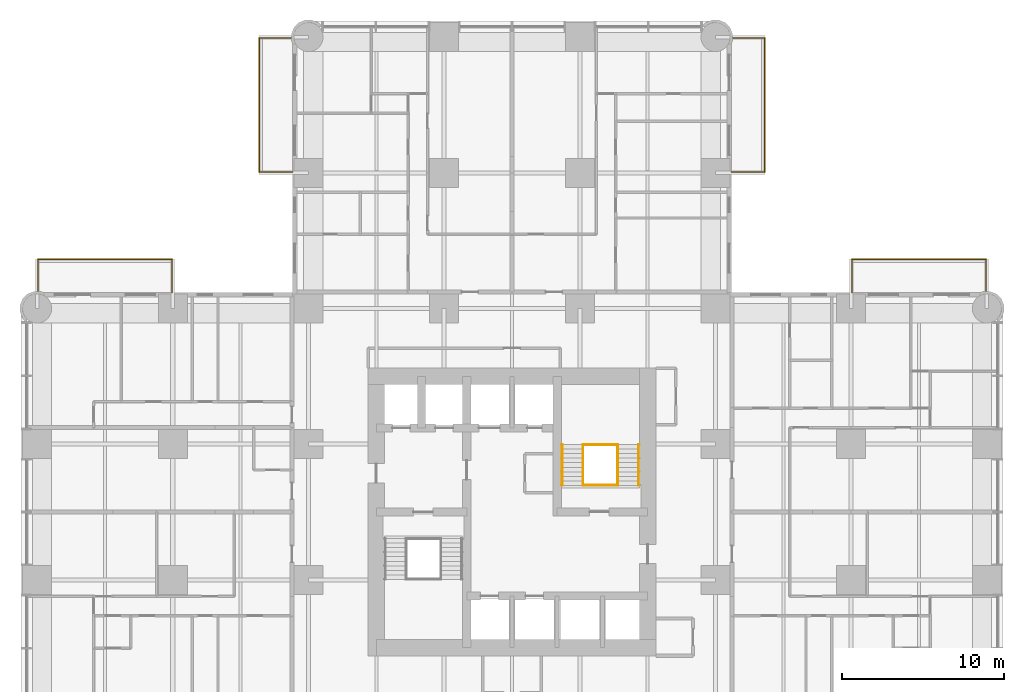
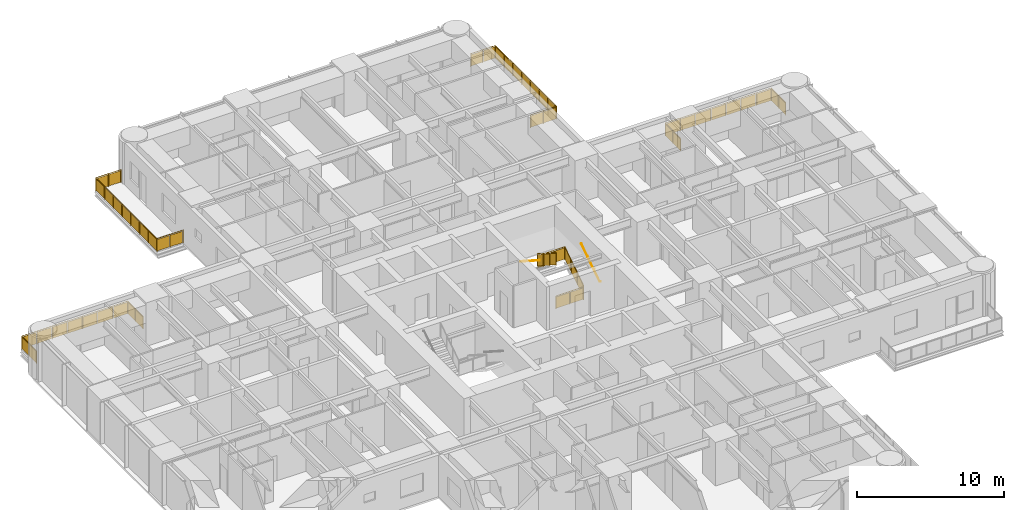
# One storey, part 17 of 17: 10 railings.
"""IFC4 building model written with IfcOpenShell, lengths in metres."""

from ifc_helpers import new_model, si_unit, direction, frame, origin, origin_2d, place, context, subcontext, project, spatial, polyline, circle, outline, extrude, material, constituent, constituent_set, type_object, element, save


model = new_model("IFC4")

# Units and contexts
model_context = context("Model", 3, precision=1e-05, world=origin(), true_north=direction((0.0, 1.0)))
body_context = subcontext(model_context, "Body", "Model", "MODEL_VIEW")
ifc_project = project(units=[si_unit("LENGTHUNIT", "METRE"), si_unit("AREAUNIT", "SQUARE_METRE"), si_unit("VOLUMEUNIT", "CUBIC_METRE"), si_unit("PLANEANGLEUNIT", "RADIAN"), si_unit("MASSUNIT", "GRAM", prefix="KILO")], contexts=[model_context])

# Site, building, storey
site_placement = place(None, origin())
site = spatial("IfcSite", under=ifc_project, at=site_placement, CompositionType="ELEMENT")
building_placement = place(site_placement, origin())
building = spatial("IfcBuilding", under=site, at=building_placement, Name="Torre Alcanfor", CompositionType="ELEMENT")
storey_placement = place(building_placement, frame((0.0, 0.0, 45.300048828125)))
storey = spatial("IfcBuildingStorey", under=building, at=storey_placement, Name="L10", CompositionType="ELEMENT", Elevation=45.300048828125)

# Railings
ifc_material_1 = material(Name="Laminated safety glass", Category="glass")
ifc_constituent_1 = constituent(ifc_material_1, Name="Infill")
ifc_material_2 = material(Name="Stainless steel ASTM A554 Grade MT 316L tube", Category="steel")
ifc_constituent_2 = constituent(ifc_material_2, Name="Posts and rail")
ifc_constituent_set = constituent_set(constituents=[ifc_constituent_1, ifc_constituent_2], Name="Balcony guard glass 1100")
railing_type_1 = type_object("IfcRailingType", Name="Balcony guard glass 1100", PredefinedType="BALUSTRADE", material=ifc_constituent_set)
railing_1_placement = place(storey_placement, frame((15.800048828125, 50.449951171875, 0.0)))
element("IfcRailing", 1, at=railing_1_placement, inside=storey, type_object=railing_type_1, Name="Balcony guard L10-N1", PredefinedType="BALUSTRADE", context=body_context, shape_type="SweptSolid", body=[
    extrude(circle(Radius=0.02392578125, at=origin_2d()), frame((0.0, 0.0, 1.076171875), z_axis=(-1.0, 0.0, 0.0), x_axis=(0.0, -1.0, 0.0)), (0.0, 0.0, 1.0), 2.050048828125),
    extrude(circle(Radius=0.02392578125, at=origin_2d()), frame((-2.050048828125, 0.0, 1.076171875), z_axis=(0.0, 1.0, 0.0), x_axis=(-1.0, 0.0, 0.0)), (0.0, 0.0, 1.0), 8.300048828125),
    extrude(circle(Radius=0.02392578125, at=origin_2d()), frame((-2.050048828125, 8.300048828125, 1.076171875), z_axis=(1.0, 0.0, 0.0), x_axis=(0.0, 1.0, 0.0)), (0.0, 0.0, 1.0), 1.968994140625),
    extrude(circle(Radius=0.02099609375, at=origin_2d()), origin(), (0.0, 0.0, 1.0), 1.052001953125),
    extrude(circle(Radius=0.02099609375, at=origin_2d()), frame((-1.02490234375, 0.0, 0.0)), (0.0, 0.0, 1.0), 1.052001953125),
    extrude(circle(Radius=0.02099609375, at=origin_2d()), frame((-2.050048828125, 0.0, 0.0)), (0.0, 0.0, 1.0), 1.052001953125),
    extrude(circle(Radius=0.02099609375, at=origin_2d()), frame((-2.050048828125, 1.185791015625, 0.0)), (0.0, 0.0, 1.0), 1.052001953125),
    extrude(circle(Radius=0.02099609375, at=origin_2d()), frame((-2.050048828125, 2.371337890625, 0.0)), (0.0, 0.0, 1.0), 1.052001953125),
    extrude(circle(Radius=0.02099609375, at=origin_2d()), frame((-2.050048828125, 3.55712890625, 0.0)), (0.0, 0.0, 1.0), 1.052001953125),
    extrude(circle(Radius=0.02099609375, at=origin_2d()), frame((-2.050048828125, 4.742919921875, 0.0)), (0.0, 0.0, 1.0), 1.052001953125),
    extrude(circle(Radius=0.02099609375, at=origin_2d()), frame((-2.050048828125, 5.9287109375, 0.0)), (0.0, 0.0, 1.0), 1.052001953125),
    extrude(circle(Radius=0.02099609375, at=origin_2d()), frame((-2.050048828125, 7.1142578125, 0.0)), (0.0, 0.0, 1.0), 1.052001953125),
    extrude(circle(Radius=0.02099609375, at=origin_2d()), frame((-2.050048828125, 8.300048828125, 0.0)), (0.0, 0.0, 1.0), 1.052001953125),
    extrude(circle(Radius=0.02099609375, at=origin_2d()), frame((-1.0654296875, 8.300048828125, 0.0)), (0.0, 0.0, 1.0), 1.052001953125),
    extrude(circle(Radius=0.02099609375, at=origin_2d()), frame((-0.0810546875, 8.300048828125, 0.0)), (0.0, 0.0, 1.0), 1.052001953125),
    extrude(outline(polyline([(0.041015625, 0.050048828125), (0.984130859375, 0.050048828125), (0.984130859375, 1.001953125), (0.041015625, 1.001953125), (0.041015625, 0.050048828125)])), frame((0.0, -0.005859375, 0.0), z_axis=(0.0, 1.0, 0.0), x_axis=(-1.0, 0.0, 0.0)), (0.0, 0.0, 1.0), 0.011962890625),
    extrude(outline(polyline([(1.06591796875, 0.050048828125), (2.009033203125, 0.050048828125), (2.009033203125, 1.001953125), (1.06591796875, 1.001953125), (1.06591796875, 0.050048828125)])), frame((0.0, -0.005859375, 0.0), z_axis=(0.0, 1.0, 0.0), x_axis=(-1.0, 0.0, 0.0)), (0.0, 0.0, 1.0), 0.011962890625),
    extrude(outline(polyline([(0.041015625, 0.050048828125), (1.144775390625, 0.050048828125), (1.144775390625, 1.001953125), (0.041015625, 1.001953125), (0.041015625, 0.050048828125)])), frame((-2.05615234375, 0.0, 0.0), z_axis=(1.0, 0.0, 0.0), x_axis=(0.0, 1.0, 0.0)), (0.0, 0.0, 1.0), 0.011962890625),
    extrude(outline(polyline([(1.226806640625, 0.050048828125), (2.330322265625, 0.050048828125), (2.330322265625, 1.001953125), (1.226806640625, 1.001953125), (1.226806640625, 0.050048828125)])), frame((-2.05615234375, 0.0, 0.0), z_axis=(1.0, 0.0, 0.0), x_axis=(0.0, 1.0, 0.0)), (0.0, 0.0, 1.0), 0.011962890625),
    extrude(outline(polyline([(2.412353515625, 0.050048828125), (3.51611328125, 0.050048828125), (3.51611328125, 1.001953125), (2.412353515625, 1.001953125), (2.412353515625, 0.050048828125)])), frame((-2.05615234375, 0.0, 0.0), z_axis=(1.0, 0.0, 0.0), x_axis=(0.0, 1.0, 0.0)), (0.0, 0.0, 1.0), 0.011962890625),
    extrude(outline(polyline([(3.59814453125, 0.050048828125), (4.701904296875, 0.050048828125), (4.701904296875, 1.001953125), (3.59814453125, 1.001953125), (3.59814453125, 0.050048828125)])), frame((-2.05615234375, 0.0, 0.0), z_axis=(1.0, 0.0, 0.0), x_axis=(0.0, 1.0, 0.0)), (0.0, 0.0, 1.0), 0.011962890625),
    extrude(outline(polyline([(4.783935546875, 0.050048828125), (5.8876953125, 0.050048828125), (5.8876953125, 1.001953125), (4.783935546875, 1.001953125), (4.783935546875, 0.050048828125)])), frame((-2.05615234375, 0.0, 0.0), z_axis=(1.0, 0.0, 0.0), x_axis=(0.0, 1.0, 0.0)), (0.0, 0.0, 1.0), 0.011962890625),
    extrude(outline(polyline([(5.9697265625, 0.050048828125), (7.0732421875, 0.050048828125), (7.0732421875, 1.001953125), (5.9697265625, 1.001953125), (5.9697265625, 0.050048828125)])), frame((-2.05615234375, 0.0, 0.0), z_axis=(1.0, 0.0, 0.0), x_axis=(0.0, 1.0, 0.0)), (0.0, 0.0, 1.0), 0.011962890625),
    extrude(outline(polyline([(7.1552734375, 0.050048828125), (8.259033203125, 0.050048828125), (8.259033203125, 1.001953125), (7.1552734375, 1.001953125), (7.1552734375, 0.050048828125)])), frame((-2.05615234375, 0.0, 0.0), z_axis=(1.0, 0.0, 0.0), x_axis=(0.0, 1.0, 0.0)), (0.0, 0.0, 1.0), 0.011962890625),
    extrude(outline(polyline([(0.041015625, 0.050048828125), (0.943603515625, 0.050048828125), (0.943603515625, 1.001953125), (0.041015625, 1.001953125), (0.041015625, 0.050048828125)])), frame((-2.050048828125, 8.30615234375, 0.0), z_axis=(0.0, -1.0, 0.0), x_axis=(1.0, 0.0, 0.0)), (0.0, 0.0, 1.0), 0.011962890625),
    extrude(outline(polyline([(1.025390625, 0.050048828125), (1.927978515625, 0.050048828125), (1.927978515625, 1.001953125), (1.025390625, 1.001953125), (1.025390625, 0.050048828125)])), frame((-2.050048828125, 8.30615234375, 0.0), z_axis=(0.0, -1.0, 0.0), x_axis=(1.0, 0.0, 0.0)), (0.0, 0.0, 1.0), 0.011962890625),
])
railing_2_placement = place(storey_placement, frame((43.0, 50.449951171875, 0.0)))
element("IfcRailing", 2, at=railing_2_placement, inside=storey, type_object=railing_type_1, Name="Balcony guard L10-N2", PredefinedType="BALUSTRADE", context=body_context, shape_type="SweptSolid", body=[
    extrude(circle(Radius=0.02392578125, at=origin_2d()), frame((0.0, 0.0, 1.076171875), z_axis=(1.0, 0.0, 0.0), x_axis=(0.0, 1.0, 0.0)), (0.0, 0.0, 1.0), 2.050048828125),
    extrude(circle(Radius=0.02392578125, at=origin_2d()), frame((2.050048828125, 0.0, 1.076171875), z_axis=(0.0, 1.0, 0.0), x_axis=(-1.0, 0.0, 0.0)), (0.0, 0.0, 1.0), 8.300048828125),
    extrude(circle(Radius=0.02392578125, at=origin_2d()), frame((2.050048828125, 8.300048828125, 1.076171875), z_axis=(-1.0, 0.0, 0.0), x_axis=(0.0, -1.0, 0.0)), (0.0, 0.0, 1.0), 1.968994140625),
    extrude(circle(Radius=0.02099609375, at=origin_2d()), origin(), (0.0, 0.0, 1.0), 1.052001953125),
    extrude(circle(Radius=0.02099609375, at=origin_2d()), frame((1.02490234375, 0.0, 0.0)), (0.0, 0.0, 1.0), 1.052001953125),
    extrude(circle(Radius=0.02099609375, at=origin_2d()), frame((2.050048828125, 0.0, 0.0)), (0.0, 0.0, 1.0), 1.052001953125),
    extrude(circle(Radius=0.02099609375, at=origin_2d()), frame((2.050048828125, 1.185791015625, 0.0)), (0.0, 0.0, 1.0), 1.052001953125),
    extrude(circle(Radius=0.02099609375, at=origin_2d()), frame((2.050048828125, 2.371337890625, 0.0)), (0.0, 0.0, 1.0), 1.052001953125),
    extrude(circle(Radius=0.02099609375, at=origin_2d()), frame((2.050048828125, 3.55712890625, 0.0)), (0.0, 0.0, 1.0), 1.052001953125),
    extrude(circle(Radius=0.02099609375, at=origin_2d()), frame((2.050048828125, 4.742919921875, 0.0)), (0.0, 0.0, 1.0), 1.052001953125),
    extrude(circle(Radius=0.02099609375, at=origin_2d()), frame((2.050048828125, 5.9287109375, 0.0)), (0.0, 0.0, 1.0), 1.052001953125),
    extrude(circle(Radius=0.02099609375, at=origin_2d()), frame((2.050048828125, 7.1142578125, 0.0)), (0.0, 0.0, 1.0), 1.052001953125),
    extrude(circle(Radius=0.02099609375, at=origin_2d()), frame((2.050048828125, 8.300048828125, 0.0)), (0.0, 0.0, 1.0), 1.052001953125),
    extrude(circle(Radius=0.02099609375, at=origin_2d()), frame((1.0654296875, 8.300048828125, 0.0)), (0.0, 0.0, 1.0), 1.052001953125),
    extrude(circle(Radius=0.02099609375, at=origin_2d()), frame((0.0810546875, 8.300048828125, 0.0)), (0.0, 0.0, 1.0), 1.052001953125),
    extrude(outline(polyline([(0.041015625, 0.050048828125), (0.984130859375, 0.050048828125), (0.984130859375, 1.001953125), (0.041015625, 1.001953125), (0.041015625, 0.050048828125)])), frame((0.0, 0.005859375, 0.0), z_axis=(0.0, -1.0, 0.0), x_axis=(1.0, 0.0, 0.0)), (0.0, 0.0, 1.0), 0.011962890625),
    extrude(outline(polyline([(1.06591796875, 0.050048828125), (2.009033203125, 0.050048828125), (2.009033203125, 1.001953125), (1.06591796875, 1.001953125), (1.06591796875, 0.050048828125)])), frame((0.0, 0.005859375, 0.0), z_axis=(0.0, -1.0, 0.0), x_axis=(1.0, 0.0, 0.0)), (0.0, 0.0, 1.0), 0.011962890625),
    extrude(outline(polyline([(0.041015625, 0.050048828125), (1.144775390625, 0.050048828125), (1.144775390625, 1.001953125), (0.041015625, 1.001953125), (0.041015625, 0.050048828125)])), frame((2.0439453125, 0.0, 0.0), z_axis=(1.0, 0.0, 0.0), x_axis=(0.0, 1.0, 0.0)), (0.0, 0.0, 1.0), 0.011962890625),
    extrude(outline(polyline([(1.226806640625, 0.050048828125), (2.330322265625, 0.050048828125), (2.330322265625, 1.001953125), (1.226806640625, 1.001953125), (1.226806640625, 0.050048828125)])), frame((2.0439453125, 0.0, 0.0), z_axis=(1.0, 0.0, 0.0), x_axis=(0.0, 1.0, 0.0)), (0.0, 0.0, 1.0), 0.011962890625),
    extrude(outline(polyline([(2.412353515625, 0.050048828125), (3.51611328125, 0.050048828125), (3.51611328125, 1.001953125), (2.412353515625, 1.001953125), (2.412353515625, 0.050048828125)])), frame((2.0439453125, 0.0, 0.0), z_axis=(1.0, 0.0, 0.0), x_axis=(0.0, 1.0, 0.0)), (0.0, 0.0, 1.0), 0.011962890625),
    extrude(outline(polyline([(3.59814453125, 0.050048828125), (4.701904296875, 0.050048828125), (4.701904296875, 1.001953125), (3.59814453125, 1.001953125), (3.59814453125, 0.050048828125)])), frame((2.0439453125, 0.0, 0.0), z_axis=(1.0, 0.0, 0.0), x_axis=(0.0, 1.0, 0.0)), (0.0, 0.0, 1.0), 0.011962890625),
    extrude(outline(polyline([(4.783935546875, 0.050048828125), (5.8876953125, 0.050048828125), (5.8876953125, 1.001953125), (4.783935546875, 1.001953125), (4.783935546875, 0.050048828125)])), frame((2.0439453125, 0.0, 0.0), z_axis=(1.0, 0.0, 0.0), x_axis=(0.0, 1.0, 0.0)), (0.0, 0.0, 1.0), 0.011962890625),
    extrude(outline(polyline([(5.9697265625, 0.050048828125), (7.0732421875, 0.050048828125), (7.0732421875, 1.001953125), (5.9697265625, 1.001953125), (5.9697265625, 0.050048828125)])), frame((2.0439453125, 0.0, 0.0), z_axis=(1.0, 0.0, 0.0), x_axis=(0.0, 1.0, 0.0)), (0.0, 0.0, 1.0), 0.011962890625),
    extrude(outline(polyline([(7.1552734375, 0.050048828125), (8.259033203125, 0.050048828125), (8.259033203125, 1.001953125), (7.1552734375, 1.001953125), (7.1552734375, 0.050048828125)])), frame((2.0439453125, 0.0, 0.0), z_axis=(1.0, 0.0, 0.0), x_axis=(0.0, 1.0, 0.0)), (0.0, 0.0, 1.0), 0.011962890625),
    extrude(outline(polyline([(0.041015625, 0.050048828125), (0.943603515625, 0.050048828125), (0.943603515625, 1.001953125), (0.041015625, 1.001953125), (0.041015625, 0.050048828125)])), frame((2.050048828125, 8.2939453125, 0.0), z_axis=(0.0, 1.0, 0.0), x_axis=(-1.0, 0.0, 0.0)), (0.0, 0.0, 1.0), 0.011962890625),
    extrude(outline(polyline([(1.025390625, 0.050048828125), (1.927978515625, 0.050048828125), (1.927978515625, 1.001953125), (1.025390625, 1.001953125), (1.025390625, 0.050048828125)])), frame((2.050048828125, 8.2939453125, 0.0), z_axis=(0.0, 1.0, 0.0), x_axis=(-1.0, 0.0, 0.0)), (0.0, 0.0, 1.0), 0.011962890625),
])
railing_3_placement = place(storey_placement, frame((50.449951171875, 43.0, 0.0)))
element("IfcRailing", 3, at=railing_3_placement, inside=storey, type_object=railing_type_1, Name="Balcony guard L10-E1", PredefinedType="BALUSTRADE", context=body_context, shape_type="SweptSolid", body=[
    extrude(circle(Radius=0.02392578125, at=origin_2d()), frame((0.0, 0.0, 1.076171875), z_axis=(0.0, 1.0, 0.0), x_axis=(-1.0, 0.0, 0.0)), (0.0, 0.0, 1.0), 2.050048828125),
    extrude(circle(Radius=0.02392578125, at=origin_2d()), frame((0.0, 2.050048828125, 1.076171875), z_axis=(1.0, 0.0, 0.0), x_axis=(0.0, 1.0, 0.0)), (0.0, 0.0, 1.0), 8.300048828125),
    extrude(circle(Radius=0.02392578125, at=origin_2d()), frame((8.300048828125, 2.050048828125, 1.076171875), z_axis=(0.0, -1.0, 0.0), x_axis=(1.0, 0.0, 0.0)), (0.0, 0.0, 1.0), 1.968994140625),
    extrude(circle(Radius=0.02099609375, at=origin_2d()), origin(), (0.0, 0.0, 1.0), 1.052001953125),
    extrude(circle(Radius=0.02099609375, at=origin_2d()), frame((0.0, 1.02490234375, 0.0)), (0.0, 0.0, 1.0), 1.052001953125),
    extrude(circle(Radius=0.02099609375, at=origin_2d()), frame((0.0, 2.050048828125, 0.0)), (0.0, 0.0, 1.0), 1.052001953125),
    extrude(circle(Radius=0.02099609375, at=origin_2d()), frame((1.185791015625, 2.050048828125, 0.0)), (0.0, 0.0, 1.0), 1.052001953125),
    extrude(circle(Radius=0.02099609375, at=origin_2d()), frame((2.371337890625, 2.050048828125, 0.0)), (0.0, 0.0, 1.0), 1.052001953125),
    extrude(circle(Radius=0.02099609375, at=origin_2d()), frame((3.55712890625, 2.050048828125, 0.0)), (0.0, 0.0, 1.0), 1.052001953125),
    extrude(circle(Radius=0.02099609375, at=origin_2d()), frame((4.742919921875, 2.050048828125, 0.0)), (0.0, 0.0, 1.0), 1.052001953125),
    extrude(circle(Radius=0.02099609375, at=origin_2d()), frame((5.9287109375, 2.050048828125, 0.0)), (0.0, 0.0, 1.0), 1.052001953125),
    extrude(circle(Radius=0.02099609375, at=origin_2d()), frame((7.1142578125, 2.050048828125, 0.0)), (0.0, 0.0, 1.0), 1.052001953125),
    extrude(circle(Radius=0.02099609375, at=origin_2d()), frame((8.300048828125, 2.050048828125, 0.0)), (0.0, 0.0, 1.0), 1.052001953125),
    extrude(circle(Radius=0.02099609375, at=origin_2d()), frame((8.300048828125, 1.0654296875, 0.0)), (0.0, 0.0, 1.0), 1.052001953125),
    extrude(circle(Radius=0.02099609375, at=origin_2d()), frame((8.300048828125, 0.0810546875, 0.0)), (0.0, 0.0, 1.0), 1.052001953125),
    extrude(outline(polyline([(0.041015625, 0.050048828125), (0.984130859375, 0.050048828125), (0.984130859375, 1.001953125), (0.041015625, 1.001953125), (0.041015625, 0.050048828125)])), frame((-0.005859375, 0.0, 0.0), z_axis=(1.0, 0.0, 0.0), x_axis=(0.0, 1.0, 0.0)), (0.0, 0.0, 1.0), 0.011962890625),
    extrude(outline(polyline([(1.06591796875, 0.050048828125), (2.009033203125, 0.050048828125), (2.009033203125, 1.001953125), (1.06591796875, 1.001953125), (1.06591796875, 0.050048828125)])), frame((-0.005859375, 0.0, 0.0), z_axis=(1.0, 0.0, 0.0), x_axis=(0.0, 1.0, 0.0)), (0.0, 0.0, 1.0), 0.011962890625),
    extrude(outline(polyline([(0.041015625, 0.050048828125), (1.144775390625, 0.050048828125), (1.144775390625, 1.001953125), (0.041015625, 1.001953125), (0.041015625, 0.050048828125)])), frame((0.0, 2.05615234375, 0.0), z_axis=(0.0, -1.0, 0.0), x_axis=(1.0, 0.0, 0.0)), (0.0, 0.0, 1.0), 0.011962890625),
    extrude(outline(polyline([(1.226806640625, 0.050048828125), (2.330322265625, 0.050048828125), (2.330322265625, 1.001953125), (1.226806640625, 1.001953125), (1.226806640625, 0.050048828125)])), frame((0.0, 2.05615234375, 0.0), z_axis=(0.0, -1.0, 0.0), x_axis=(1.0, 0.0, 0.0)), (0.0, 0.0, 1.0), 0.011962890625),
    extrude(outline(polyline([(2.412353515625, 0.050048828125), (3.51611328125, 0.050048828125), (3.51611328125, 1.001953125), (2.412353515625, 1.001953125), (2.412353515625, 0.050048828125)])), frame((0.0, 2.05615234375, 0.0), z_axis=(0.0, -1.0, 0.0), x_axis=(1.0, 0.0, 0.0)), (0.0, 0.0, 1.0), 0.011962890625),
    extrude(outline(polyline([(3.59814453125, 0.050048828125), (4.701904296875, 0.050048828125), (4.701904296875, 1.001953125), (3.59814453125, 1.001953125), (3.59814453125, 0.050048828125)])), frame((0.0, 2.05615234375, 0.0), z_axis=(0.0, -1.0, 0.0), x_axis=(1.0, 0.0, 0.0)), (0.0, 0.0, 1.0), 0.011962890625),
    extrude(outline(polyline([(4.783935546875, 0.050048828125), (5.8876953125, 0.050048828125), (5.8876953125, 1.001953125), (4.783935546875, 1.001953125), (4.783935546875, 0.050048828125)])), frame((0.0, 2.05615234375, 0.0), z_axis=(0.0, -1.0, 0.0), x_axis=(1.0, 0.0, 0.0)), (0.0, 0.0, 1.0), 0.011962890625),
    extrude(outline(polyline([(5.9697265625, 0.050048828125), (7.0732421875, 0.050048828125), (7.0732421875, 1.001953125), (5.9697265625, 1.001953125), (5.9697265625, 0.050048828125)])), frame((0.0, 2.05615234375, 0.0), z_axis=(0.0, -1.0, 0.0), x_axis=(1.0, 0.0, 0.0)), (0.0, 0.0, 1.0), 0.011962890625),
    extrude(outline(polyline([(7.1552734375, 0.050048828125), (8.259033203125, 0.050048828125), (8.259033203125, 1.001953125), (7.1552734375, 1.001953125), (7.1552734375, 0.050048828125)])), frame((0.0, 2.05615234375, 0.0), z_axis=(0.0, -1.0, 0.0), x_axis=(1.0, 0.0, 0.0)), (0.0, 0.0, 1.0), 0.011962890625),
    extrude(outline(polyline([(0.041015625, 0.050048828125), (0.943603515625, 0.050048828125), (0.943603515625, 1.001953125), (0.041015625, 1.001953125), (0.041015625, 0.050048828125)])), frame((8.30615234375, 2.050048828125, 0.0), z_axis=(-1.0, 0.0, 0.0), x_axis=(0.0, -1.0, 0.0)), (0.0, 0.0, 1.0), 0.011962890625),
    extrude(outline(polyline([(1.025390625, 0.050048828125), (1.927978515625, 0.050048828125), (1.927978515625, 1.001953125), (1.025390625, 1.001953125), (1.025390625, 0.050048828125)])), frame((8.30615234375, 2.050048828125, 0.0), z_axis=(-1.0, 0.0, 0.0), x_axis=(0.0, -1.0, 0.0)), (0.0, 0.0, 1.0), 0.011962890625),
])
railing_4_placement = place(storey_placement, frame((8.35009765625, 43.0, 0.0)))
element("IfcRailing", 4, at=railing_4_placement, inside=storey, type_object=railing_type_1, Name="Balcony guard L10-W2", PredefinedType="BALUSTRADE", context=body_context, shape_type="SweptSolid", body=[
    extrude(circle(Radius=0.02392578125, at=origin_2d()), frame((0.0, 0.0, 1.076171875), z_axis=(0.0, 1.0, 0.0), x_axis=(-1.0, 0.0, 0.0)), (0.0, 0.0, 1.0), 2.050048828125),
    extrude(circle(Radius=0.02392578125, at=origin_2d()), frame((0.0, 2.050048828125, 1.076171875), z_axis=(-1.0, 0.0, 0.0), x_axis=(0.0, -1.0, 0.0)), (0.0, 0.0, 1.0), 8.300048828125),
    extrude(circle(Radius=0.02392578125, at=origin_2d()), frame((-8.300048828125, 2.050048828125, 1.076171875), z_axis=(0.0, -1.0, 0.0), x_axis=(1.0, 0.0, 0.0)), (0.0, 0.0, 1.0), 1.968994140625),
    extrude(circle(Radius=0.02099609375, at=origin_2d()), origin(), (0.0, 0.0, 1.0), 1.052001953125),
    extrude(circle(Radius=0.02099609375, at=origin_2d()), frame((0.0, 1.02490234375, 0.0)), (0.0, 0.0, 1.0), 1.052001953125),
    extrude(circle(Radius=0.02099609375, at=origin_2d()), frame((0.0, 2.050048828125, 0.0)), (0.0, 0.0, 1.0), 1.052001953125),
    extrude(circle(Radius=0.02099609375, at=origin_2d()), frame((-1.185791015625, 2.050048828125, 0.0)), (0.0, 0.0, 1.0), 1.052001953125),
    extrude(circle(Radius=0.02099609375, at=origin_2d()), frame((-2.371337890625, 2.050048828125, 0.0)), (0.0, 0.0, 1.0), 1.052001953125),
    extrude(circle(Radius=0.02099609375, at=origin_2d()), frame((-3.55712890625, 2.050048828125, 0.0)), (0.0, 0.0, 1.0), 1.052001953125),
    extrude(circle(Radius=0.02099609375, at=origin_2d()), frame((-4.742919921875, 2.050048828125, 0.0)), (0.0, 0.0, 1.0), 1.052001953125),
    extrude(circle(Radius=0.02099609375, at=origin_2d()), frame((-5.9287109375, 2.050048828125, 0.0)), (0.0, 0.0, 1.0), 1.052001953125),
    extrude(circle(Radius=0.02099609375, at=origin_2d()), frame((-7.1142578125, 2.050048828125, 0.0)), (0.0, 0.0, 1.0), 1.052001953125),
    extrude(circle(Radius=0.02099609375, at=origin_2d()), frame((-8.300048828125, 2.050048828125, 0.0)), (0.0, 0.0, 1.0), 1.052001953125),
    extrude(circle(Radius=0.02099609375, at=origin_2d()), frame((-8.300048828125, 1.0654296875, 0.0)), (0.0, 0.0, 1.0), 1.052001953125),
    extrude(circle(Radius=0.02099609375, at=origin_2d()), frame((-8.300048828125, 0.0810546875, 0.0)), (0.0, 0.0, 1.0), 1.052001953125),
    extrude(outline(polyline([(0.041015625, 0.050048828125), (0.984130859375, 0.050048828125), (0.984130859375, 1.001953125), (0.041015625, 1.001953125), (0.041015625, 0.050048828125)])), frame((-0.005859375, 0.0, 0.0), z_axis=(1.0, 0.0, 0.0), x_axis=(0.0, 1.0, 0.0)), (0.0, 0.0, 1.0), 0.011962890625),
    extrude(outline(polyline([(1.06591796875, 0.050048828125), (2.009033203125, 0.050048828125), (2.009033203125, 1.001953125), (1.06591796875, 1.001953125), (1.06591796875, 0.050048828125)])), frame((-0.005859375, 0.0, 0.0), z_axis=(1.0, 0.0, 0.0), x_axis=(0.0, 1.0, 0.0)), (0.0, 0.0, 1.0), 0.011962890625),
    extrude(outline(polyline([(0.041015625, 0.050048828125), (1.144775390625, 0.050048828125), (1.144775390625, 1.001953125), (0.041015625, 1.001953125), (0.041015625, 0.050048828125)])), frame((0.0, 2.0439453125, 0.0), z_axis=(0.0, 1.0, 0.0), x_axis=(-1.0, 0.0, 0.0)), (0.0, 0.0, 1.0), 0.011962890625),
    extrude(outline(polyline([(1.226806640625, 0.050048828125), (2.330322265625, 0.050048828125), (2.330322265625, 1.001953125), (1.226806640625, 1.001953125), (1.226806640625, 0.050048828125)])), frame((0.0, 2.0439453125, 0.0), z_axis=(0.0, 1.0, 0.0), x_axis=(-1.0, 0.0, 0.0)), (0.0, 0.0, 1.0), 0.011962890625),
    extrude(outline(polyline([(2.412353515625, 0.050048828125), (3.51611328125, 0.050048828125), (3.51611328125, 1.001953125), (2.412353515625, 1.001953125), (2.412353515625, 0.050048828125)])), frame((0.0, 2.0439453125, 0.0), z_axis=(0.0, 1.0, 0.0), x_axis=(-1.0, 0.0, 0.0)), (0.0, 0.0, 1.0), 0.011962890625),
    extrude(outline(polyline([(3.59814453125, 0.050048828125), (4.701904296875, 0.050048828125), (4.701904296875, 1.001953125), (3.59814453125, 1.001953125), (3.59814453125, 0.050048828125)])), frame((0.0, 2.0439453125, 0.0), z_axis=(0.0, 1.0, 0.0), x_axis=(-1.0, 0.0, 0.0)), (0.0, 0.0, 1.0), 0.011962890625),
    extrude(outline(polyline([(4.783935546875, 0.050048828125), (5.8876953125, 0.050048828125), (5.8876953125, 1.001953125), (4.783935546875, 1.001953125), (4.783935546875, 0.050048828125)])), frame((0.0, 2.0439453125, 0.0), z_axis=(0.0, 1.0, 0.0), x_axis=(-1.0, 0.0, 0.0)), (0.0, 0.0, 1.0), 0.011962890625),
    extrude(outline(polyline([(5.9697265625, 0.050048828125), (7.0732421875, 0.050048828125), (7.0732421875, 1.001953125), (5.9697265625, 1.001953125), (5.9697265625, 0.050048828125)])), frame((0.0, 2.0439453125, 0.0), z_axis=(0.0, 1.0, 0.0), x_axis=(-1.0, 0.0, 0.0)), (0.0, 0.0, 1.0), 0.011962890625),
    extrude(outline(polyline([(7.1552734375, 0.050048828125), (8.259033203125, 0.050048828125), (8.259033203125, 1.001953125), (7.1552734375, 1.001953125), (7.1552734375, 0.050048828125)])), frame((0.0, 2.0439453125, 0.0), z_axis=(0.0, 1.0, 0.0), x_axis=(-1.0, 0.0, 0.0)), (0.0, 0.0, 1.0), 0.011962890625),
    extrude(outline(polyline([(0.041015625, 0.050048828125), (0.943603515625, 0.050048828125), (0.943603515625, 1.001953125), (0.041015625, 1.001953125), (0.041015625, 0.050048828125)])), frame((-8.2939453125, 2.050048828125, 0.0), z_axis=(-1.0, 0.0, 0.0), x_axis=(0.0, -1.0, 0.0)), (0.0, 0.0, 1.0), 0.011962890625),
    extrude(outline(polyline([(1.025390625, 0.050048828125), (1.927978515625, 0.050048828125), (1.927978515625, 1.001953125), (1.025390625, 1.001953125), (1.025390625, 0.050048828125)])), frame((-8.2939453125, 2.050048828125, 0.0), z_axis=(-1.0, 0.0, 0.0), x_axis=(0.0, -1.0, 0.0)), (0.0, 0.0, 1.0), 0.011962890625),
])
ifc_material_3 = material(Name="Steel ASTM A500 Grade C hollow sections", Category="steel")
railing_type_2 = type_object("IfcRailingType", Name="Stair guard and handrail 1100", PredefinedType="GUARDRAIL", material=ifc_material_3)
railing_5_placement = place(storey_placement, frame((35.949951171875, 31.050048828125, 0.179931640625)))
element("IfcRailing", 5, at=railing_5_placement, inside=storey, type_object=railing_type_2, Name="Stair guard S2 L10 flight 1", PredefinedType="GUARDRAIL", context=body_context, shape_type="SweptSolid", body=[
    extrude(circle(Radius=0.02392578125, at=origin_2d()), frame((0.0, 0.0, 1.076171875), z_axis=(0.0, 0.841162588446, 0.540782303519), x_axis=(-1.0, 0.0, 0.0)), (0.0, 0.0, 1.0), 2.995849609375),
    extrude(circle(Radius=0.02099609375, at=origin_2d()), origin(), (0.0, 0.0, 1.0), 1.052001953125),
    extrude(circle(Radius=0.02099609375, at=origin_2d()), frame((0.0, 0.840087890625, 0.5400390625)), (0.0, 0.0, 1.0), 1.052001953125),
    extrude(circle(Radius=0.02099609375, at=origin_2d()), frame((0.0, 1.679931640625, 1.080078125)), (0.0, 0.0, 1.0), 1.052001953125),
    extrude(circle(Radius=0.02099609375, at=origin_2d()), frame((0.0, 2.52001953125, 1.6201171875)), (0.0, 0.0, 1.0), 1.052001953125),
    extrude(outline(polyline([(0.041015625, 0.076416015625), (0.799072265625, 0.563720703125), (0.799072265625, 1.515625), (0.041015625, 1.0283203125), (0.041015625, 0.076416015625)])), frame((-0.005859375, 0.0, 0.0), z_axis=(1.0, 0.0, 0.0), x_axis=(0.0, 1.0, 0.0)), (0.0, 0.0, 1.0), 0.011962890625),
    extrude(outline(polyline([(0.881103515625, 0.616455078125), (1.638916015625, 1.103759765625), (1.638916015625, 2.0556640625), (0.881103515625, 1.568359375), (0.881103515625, 0.616455078125)])), frame((-0.005859375, 0.0, 0.0), z_axis=(1.0, 0.0, 0.0), x_axis=(0.0, 1.0, 0.0)), (0.0, 0.0, 1.0), 0.011962890625),
    extrude(outline(polyline([(1.720947265625, 1.156494140625), (2.47900390625, 1.643798828125), (2.47900390625, 2.595703125), (1.720947265625, 2.1083984375), (1.720947265625, 1.156494140625)])), frame((-0.005859375, 0.0, 0.0), z_axis=(1.0, 0.0, 0.0), x_axis=(0.0, 1.0, 0.0)), (0.0, 0.0, 1.0), 0.011962890625),
])
railing_6_placement = place(storey_placement, frame((33.800048828125, 33.570068359375, 1.97998046875)))
element("IfcRailing", 6, at=railing_6_placement, inside=storey, type_object=railing_type_2, Name="Stair guard S2 L10 flight 2", PredefinedType="GUARDRAIL", context=body_context, shape_type="SweptSolid", body=[
    extrude(circle(Radius=0.02392578125, at=origin_2d()), frame((0.0, 0.0, 1.076171875), z_axis=(0.0, -0.841199657755, 0.540724639528), x_axis=(1.0, 0.0, 0.0)), (0.0, 0.0, 1.0), 2.995849609375),
    extrude(circle(Radius=0.02099609375, at=origin_2d()), origin(), (0.0, 0.0, 1.0), 1.052001953125),
    extrude(circle(Radius=0.02099609375, at=origin_2d()), frame((0.0, -0.840087890625, 0.5400390625)), (0.0, 0.0, 1.0), 1.052001953125),
    extrude(circle(Radius=0.02099609375, at=origin_2d()), frame((0.0, -1.679931640625, 1.079833984375)), (0.0, 0.0, 1.0), 1.052001953125),
    extrude(circle(Radius=0.02099609375, at=origin_2d()), frame((0.0, -2.52001953125, 1.619873046875)), (0.0, 0.0, 1.0), 1.052001953125),
    extrude(outline(polyline([(0.041015625, 0.076416015625), (0.799072265625, 0.563720703125), (0.799072265625, 1.515625), (0.041015625, 1.0283203125), (0.041015625, 0.076416015625)])), frame((0.005859375, 0.0, 0.0), z_axis=(-1.0, 0.0, 0.0), x_axis=(0.0, -1.0, 0.0)), (0.0, 0.0, 1.0), 0.011962890625),
    extrude(outline(polyline([(0.881103515625, 0.6162109375), (1.638916015625, 1.103515625), (1.638916015625, 2.0556640625), (0.881103515625, 1.568359375), (0.881103515625, 0.6162109375)])), frame((0.005859375, 0.0, 0.0), z_axis=(-1.0, 0.0, 0.0), x_axis=(0.0, -1.0, 0.0)), (0.0, 0.0, 1.0), 0.011962890625),
    extrude(outline(polyline([(1.720947265625, 1.15625), (2.47900390625, 1.6435546875), (2.47900390625, 2.595458984375), (1.720947265625, 2.108154296875), (1.720947265625, 1.15625)])), frame((0.005859375, 0.0, 0.0), z_axis=(-1.0, 0.0, 0.0), x_axis=(0.0, -1.0, 0.0)), (0.0, 0.0, 1.0), 0.011962890625),
])
for number, where, name in (
    (7, (33.800048828125, 31.050048828125, 0.0), "Stair well guard S2 L10 floor landing"),
    (8, (33.800048828125, 33.570068359375, 1.800048828125), "Stair well guard S2 L10 half landing"),
):
    element("IfcRailing", number, at=place(storey_placement, frame(where)), inside=storey, type_object=railing_type_2, Name=name, PredefinedType="GUARDRAIL", context=body_context, shape_type="SweptSolid", body=[
        extrude(circle(Radius=0.02392578125, at=origin_2d()), frame((0.0, 0.0, 1.076171875), z_axis=(1.0, 0.0, 0.0), x_axis=(0.0, 1.0, 0.0)), (0.0, 0.0, 1.0), 2.14990234375),
        extrude(circle(Radius=0.02099609375, at=origin_2d()), origin(), (0.0, 0.0, 1.0), 1.052001953125),
        extrude(circle(Radius=0.02099609375, at=origin_2d()), frame((1.074951171875, 0.0, 0.0)), (0.0, 0.0, 1.0), 1.052001953125),
        extrude(circle(Radius=0.02099609375, at=origin_2d()), frame((2.14990234375, 0.0, 0.0)), (0.0, 0.0, 1.0), 1.052001953125),
        extrude(outline(polyline([(0.041015625, 0.050048828125), (1.033935546875, 0.050048828125), (1.033935546875, 1.001953125), (0.041015625, 1.001953125), (0.041015625, 0.050048828125)])), frame((0.0, 0.005859375, 0.0), z_axis=(0.0, -1.0, 0.0), x_axis=(1.0, 0.0, 0.0)), (0.0, 0.0, 1.0), 0.011962890625),
        extrude(outline(polyline([(1.115966796875, 0.050048828125), (2.10888671875, 0.050048828125), (2.10888671875, 1.001953125), (1.115966796875, 1.001953125), (1.115966796875, 0.050048828125)])), frame((0.0, 0.005859375, 0.0), z_axis=(0.0, -1.0, 0.0), x_axis=(1.0, 0.0, 0.0)), (0.0, 0.0, 1.0), 0.011962890625),
    ])
ifc_material_4 = material(Name="Steel ASTM A500 Grade C hollow sections", Category="steel")
railing_type_3 = type_object("IfcRailingType", Name="Stair wall handrail 900", PredefinedType="HANDRAIL", material=ifc_material_4)
railing_7_placement = place(storey_placement, frame((37.235107421875, 31.050048828125, 0.179931640625)))
element("IfcRailing", 9, at=railing_7_placement, inside=storey, type_object=railing_type_3, Name="Stair handrail S2 L10 flight 1", PredefinedType="HANDRAIL", context=body_context, shape_type="SweptSolid", body=[
    extrude(circle(Radius=0.02392578125, at=origin_2d()), frame((0.0, 0.0, 0.8759765625), z_axis=(0.0, 0.841162588446, 0.540782303519), x_axis=(-1.0, 0.0, 0.0)), (0.0, 0.0, 1.0), 2.995849609375),
    extrude(circle(Radius=0.008056640625, at=origin_2d()), frame((0.0, 0.0, 0.8759765625), z_axis=(1.0, 0.0, 0.0), x_axis=(0.0, 0.0, 1.0)), (0.0, 0.0, 1.0), 0.06494140625),
    extrude(circle(Radius=0.008056640625, at=origin_2d()), frame((0.0, 0.840087890625, 1.416015625), z_axis=(1.0, 0.0, 0.0), x_axis=(0.0, 0.0, 1.0)), (0.0, 0.0, 1.0), 0.06494140625),
    extrude(circle(Radius=0.008056640625, at=origin_2d()), frame((0.0, 1.679931640625, 1.9560546875), z_axis=(1.0, 0.0, 0.0), x_axis=(0.0, 0.0, 1.0)), (0.0, 0.0, 1.0), 0.06494140625),
    extrude(circle(Radius=0.008056640625, at=origin_2d()), frame((0.0, 2.52001953125, 2.49609375), z_axis=(1.0, 0.0, 0.0), x_axis=(0.0, 0.0, 1.0)), (0.0, 0.0, 1.0), 0.06494140625),
])
railing_8_placement = place(storey_placement, frame((32.514892578125, 33.570068359375, 1.97998046875)))
element("IfcRailing", 10, at=railing_8_placement, inside=storey, type_object=railing_type_3, Name="Stair handrail S2 L10 flight 2", PredefinedType="HANDRAIL", context=body_context, shape_type="SweptSolid", body=[
    extrude(circle(Radius=0.02392578125, at=origin_2d()), frame((0.0, 0.0, 0.8759765625), z_axis=(0.0, -0.841199657755, 0.540724639528), x_axis=(1.0, 0.0, 0.0)), (0.0, 0.0, 1.0), 2.995849609375),
    extrude(circle(Radius=0.008056640625, at=origin_2d()), frame((0.0, 0.0, 0.8759765625), z_axis=(-1.0, 0.0, 0.0), x_axis=(0.0, 0.0, 1.0)), (0.0, 0.0, 1.0), 0.06494140625),
    extrude(circle(Radius=0.008056640625, at=origin_2d()), frame((0.0, -0.840087890625, 1.415771484375), z_axis=(-1.0, 0.0, 0.0), x_axis=(0.0, 0.0, 1.0)), (0.0, 0.0, 1.0), 0.06494140625),
    extrude(circle(Radius=0.008056640625, at=origin_2d()), frame((0.0, -1.679931640625, 1.955810546875), z_axis=(-1.0, 0.0, 0.0), x_axis=(0.0, 0.0, 1.0)), (0.0, 0.0, 1.0), 0.06494140625),
    extrude(circle(Radius=0.008056640625, at=origin_2d()), frame((0.0, -2.52001953125, 2.49560546875), z_axis=(-1.0, 0.0, 0.0), x_axis=(0.0, 0.0, 1.0)), (0.0, 0.0, 1.0), 0.06494140625),
])

save(model, "model.ifc")
